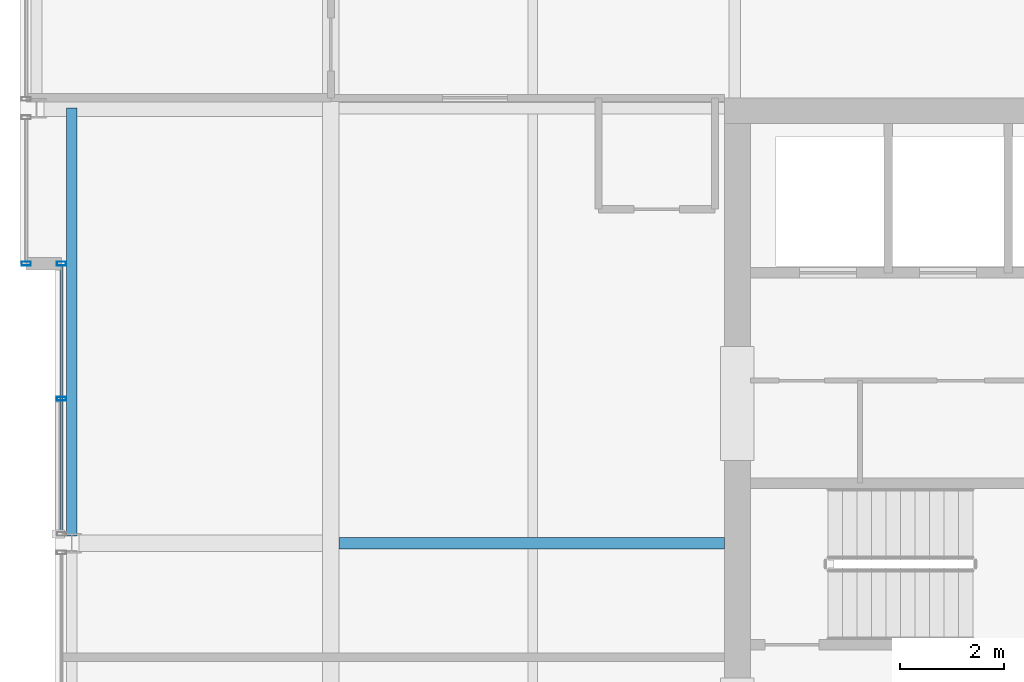
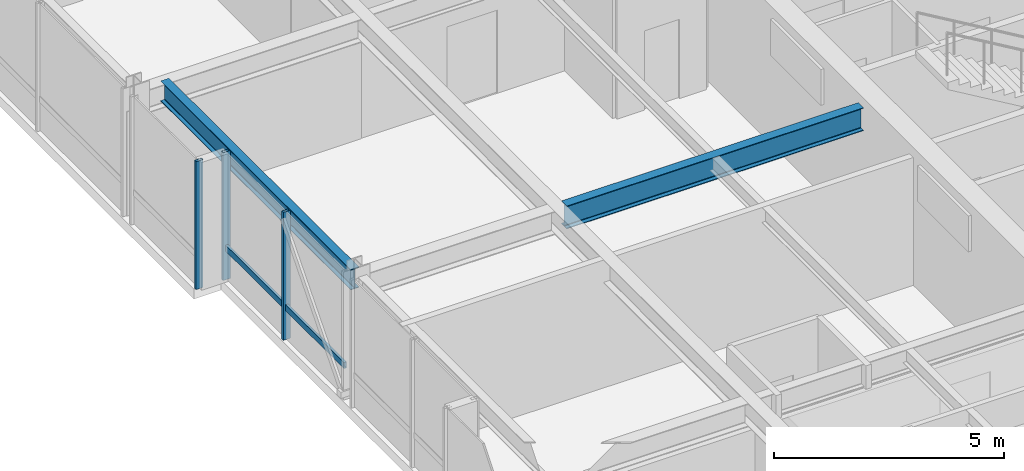
# One storey, part 10 of 32: 4 members, 2 beams, 2 elements without a shape of their own.
"""IFC4 building model written with IfcOpenShell, lengths in metres."""

from ifc_helpers import new_model, si_unit, direction, frame, origin, origin_2d, place, context, subcontext, project, spatial, hollow_rectangle, i_section, extrude, material, layer, layer_set, material_profile, profile_set, type_object, element, aggregate, save


model = new_model("IFC4")

# Units and contexts
model_context = context("Model", 3, precision=1e-05, world=origin(), true_north=direction((0.0, 1.0)))
body_context = subcontext(model_context, "Body", "Model", "MODEL_VIEW")
ifc_project = project(units=[si_unit("LENGTHUNIT", "METRE"), si_unit("AREAUNIT", "SQUARE_METRE"), si_unit("VOLUMEUNIT", "CUBIC_METRE"), si_unit("PLANEANGLEUNIT", "RADIAN"), si_unit("MASSUNIT", "GRAM", prefix="KILO")], contexts=[model_context])

# Site, building, storey
site_placement = place(None, origin())
site = spatial("IfcSite", under=ifc_project, at=site_placement, CompositionType="ELEMENT")
building_placement = place(site_placement, origin())
building = spatial("IfcBuilding", under=site, at=building_placement, Name="Drelvath Grand Hotel", CompositionType="ELEMENT")
storey_placement = place(building_placement, frame((0.0, 0.0, 265.0)))
storey = spatial("IfcBuildingStorey", under=building, at=storey_placement, Name="L69", CompositionType="ELEMENT", Elevation=265.0)

# Curtain wall, members
ifc_material_1 = material(Name="Platinum-Mist Anodised Aluminium Frame", Category="aluminium")
ifc_layer = layer(ifc_material_1, 0.199951171875)
ifc_layer_set = layer_set([ifc_layer], Name="Platinum-Mist Anodised Aluminium Frame")
curtain_wall_type = type_object("IfcCurtainWallType", Name="Stick Curtain Wall CW-05 Platinum Mist High-Rise", PredefinedType="NOTDEFINED", material=ifc_layer_set)
curtain_wall_1_placement = place(storey_placement, origin())
curtain_wall_1 = element("IfcCurtainWall", 1, at=curtain_wall_1_placement, inside=storey, type_object=curtain_wall_type, Name="L69 CW-05 Curtain Wall CW05-L69-WM2", PredefinedType="NOTDEFINED")
ifc_material_profile_1 = material_profile(ifc_material_1, hollow_rectangle(XDim=0.06494140625, YDim=0.159912109375, WallThickness=0.00390625, at=origin_2d()), Name="HSS160X65X4")
ifc_profile_set_1 = profile_set([ifc_material_profile_1], Name="Platinum-Mist Anodised Aluminium Frame")
member_type_1 = type_object("IfcMemberType", Name="Curtain Wall Horizontal Transom CW-05 HSS160X65X4", PredefinedType="USERDEFINED", material=ifc_profile_set_1)
member_1_placement = place(storey_placement, frame((-21.39990234375, 27.21826171875, 0.847412109375), z_axis=(0.0, 1.0, 0.0), x_axis=(-1.0, 0.0, 0.0)))
member_1 = element("IfcMember", 2, at=member_1_placement, type_object=member_type_1, Name="CW05-L69-WM2 Sill Transom", ObjectType="TRANSOM", PredefinedType="USERDEFINED", context=body_context, shape_type="SweptSolid", body=[
    extrude(hollow_rectangle(XDim=0.06494140625, YDim=0.159912109375, WallThickness=0.00390625, at=origin_2d()), origin(), (0.0, 0.0, 1.0), 5.141845703125),
])
ifc_material_profile_2 = material_profile(ifc_material_1, hollow_rectangle(XDim=0.074951171875, YDim=0.179931640625, WallThickness=0.0048828125, at=origin_2d()), Name="HSS180X75X5")
ifc_profile_set_2 = profile_set([ifc_material_profile_2], Name="Platinum-Mist Anodised Aluminium Frame")
member_type_2 = type_object("IfcMemberType", Name="Curtain Wall Vertical Mullion CW-05 HSS180X75X5", PredefinedType="MULLION", material=ifc_profile_set_2)
member_2_placement = place(storey_placement, frame((-21.39990234375, 29.7890625, 0.0), z_axis=(0.0, 0.0, 1.0), x_axis=(0.0, 1.0, 0.0)))
member_2 = element("IfcMember", 3, at=member_2_placement, type_object=member_type_2, Name="CW05-L69-WM2 Mullion 2", PredefinedType="MULLION", context=body_context, shape_type="SweptSolid", body=[
    extrude(hollow_rectangle(XDim=0.074951171875, YDim=0.179931640625, WallThickness=0.0048828125, at=origin_2d()), origin(), (0.0, 0.0, 1.0), 3.389892578125),
])
member_3_placement = place(storey_placement, frame((-21.39990234375, 32.39990234375, 0.0), z_axis=(0.0, 0.0, 1.0), x_axis=(0.0, 1.0, 0.0)))
member_3 = element("IfcMember", 4, at=member_3_placement, type_object=member_type_2, Name="CW05-L69-WM2 Mullion 3", PredefinedType="MULLION", context=body_context, shape_type="SweptSolid", body=[
    extrude(hollow_rectangle(XDim=0.074951171875, YDim=0.179931640625, WallThickness=0.0048828125, at=origin_2d()), origin(), (0.0, 0.0, 1.0), 3.389892578125),
])
aggregate(curtain_wall_1, [member_2, member_3, member_1])

# Curtain wall, member
curtain_wall_2_placement = place(storey_placement, origin())
curtain_wall_2 = element("IfcCurtainWall", 5, at=curtain_wall_2_placement, inside=storey, type_object=curtain_wall_type, Name="L69 CW-05 Curtain Wall CW05-L69-WN1", PredefinedType="NOTDEFINED")
member_4_placement = place(storey_placement, frame((-22.080078125, 32.39990234375, 0.0), z_axis=(0.0, 0.0, 1.0), x_axis=(0.0, 1.0, 0.0)))
member_4 = element("IfcMember", 6, at=member_4_placement, type_object=member_type_2, Name="CW05-L69-WN1 Mullion 1", PredefinedType="MULLION", context=body_context, shape_type="SweptSolid", body=[
    extrude(hollow_rectangle(XDim=0.074951171875, YDim=0.179931640625, WallThickness=0.0048828125, at=origin_2d()), origin(), (0.0, 0.0, 1.0), 3.389892578125),
])
aggregate(curtain_wall_2, [member_4])

# Beams
ifc_material_2 = material(Name="Steel ASTM A992 Gr 50", Category="steel")
ifc_material_profile_3 = material_profile(ifc_material_2, i_section(OverallWidth=0.210205078125, OverallDepth=0.53662109375, WebThickness=0.010986328125, FlangeThickness=0.017333984375, FilletRadius=0.01806640625, at=origin_2d()), Name="W21X68")
ifc_profile_set_3 = profile_set([ifc_material_profile_3], Name="Steel ASTM A992 Gr 50")
beam_type_1 = type_object("IfcBeamType", Name="Perimeter Spandrel Beam W21X68", PredefinedType="SPANDREL", material=ifc_profile_set_3)
beam_1_placement = place(storey_placement, frame((-21.199951171875, 27.139892578125, 3.12158203125), z_axis=(0.0, 1.0, 0.0), x_axis=(-1.0, 0.0, 0.0)))
element("IfcBeam", 7, at=beam_1_placement, inside=storey, type_object=beam_type_1, Name="L69 Spandrel West Mid N", PredefinedType="SPANDREL", context=body_context, shape_type="SweptSolid", body=[
    extrude(i_section(OverallWidth=0.210205078125, OverallDepth=0.53662109375, WebThickness=0.010986328125, FlangeThickness=0.017333984375, FilletRadius=0.01806640625, at=origin_2d()), origin(), (0.0, 0.0, 1.0), 8.260009765625),
])
ifc_material_profile_4 = material_profile(ifc_material_2, i_section(OverallWidth=0.228271484375, OverallDepth=0.607666015625, WebThickness=0.01123046875, FlangeThickness=0.017333984375, FilletRadius=0.02001953125, at=origin_2d()), Name="W24X76")
ifc_profile_set_4 = profile_set([ifc_material_profile_4], Name="Steel ASTM A992 Gr 50")
beam_type_2 = type_object("IfcBeamType", Name="Primary Floor Girder W24X76", PredefinedType="BEAM", material=ifc_profile_set_4)
beam_2_placement = place(storey_placement, frame((-16.0380859375, 27.0, 3.086181640625), z_axis=(1.0, 0.0, 0.0), x_axis=(0.0, 1.0, 0.0)))
element("IfcBeam", 8, at=beam_2_placement, inside=storey, type_object=beam_type_2, Name="L69 West Core Tie E", PredefinedType="BEAM", context=body_context, shape_type="SweptSolid", body=[
    extrude(i_section(OverallWidth=0.228271484375, OverallDepth=0.607666015625, WebThickness=0.01123046875, FlangeThickness=0.017333984375, FilletRadius=0.02001953125, at=origin_2d()), origin(), (0.0, 0.0, 1.0), 7.43798828125),
])

save(model, "model.ifc")
